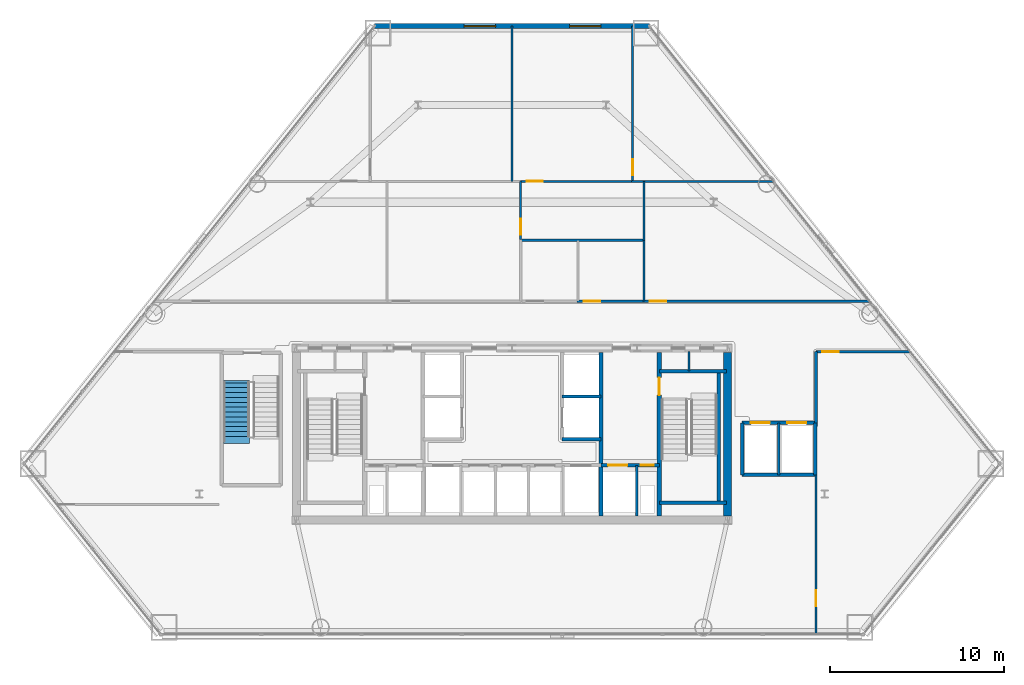
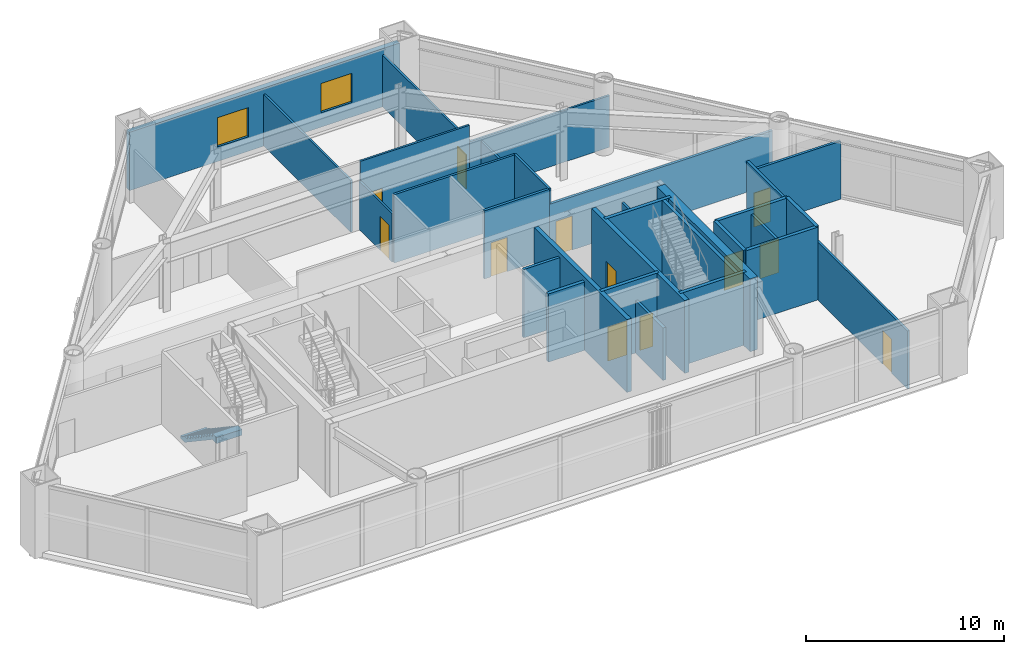
# One storey, part 9 of 13: 30 walls, 12 doors, 2 windows, 1 stair flight, 14 openings, 1 element without a shape of its own.
"""IFC4 building model written with IfcOpenShell, lengths in metres."""

from ifc_helpers import new_model, si_unit, direction, frame, frame_2d, origin, place, context, subcontext, project, spatial, polyline, rectangle, outline, extrude, material, layer, layer_set, type_object, element, fill, aggregate, save


model = new_model("IFC4")

# Units and contexts
model_context = context("Model", 3, precision=1e-05, world=origin(), true_north=direction((0.0, 1.0)))
body_context = subcontext(model_context, "Body", "Model", "MODEL_VIEW")
ifc_project = project(units=[si_unit("LENGTHUNIT", "METRE"), si_unit("AREAUNIT", "SQUARE_METRE"), si_unit("VOLUMEUNIT", "CUBIC_METRE"), si_unit("PLANEANGLEUNIT", "RADIAN"), si_unit("MASSUNIT", "GRAM", prefix="KILO")], contexts=[model_context])

# Site, building, storey
site_placement = place(None, origin())
site = spatial("IfcSite", under=ifc_project, at=site_placement, CompositionType="ELEMENT")
building_placement = place(site_placement, origin())
building = spatial("IfcBuilding", under=site, at=building_placement, Name="Talgorran Terracotta Tower", CompositionType="ELEMENT")
storey_placement = place(building_placement, frame((0.0, 0.0, 9.89990234375)))
storey = spatial("IfcBuildingStorey", under=building, at=storey_placement, Name="L02", CompositionType="ELEMENT", Elevation=9.89990234375)

# Walls
ifc_material_1 = material(Name="Concrete C50/60", Category="concrete")
ifc_layer_1 = layer(ifc_material_1, 0.199951171875, Name="WT_CORE_200")
ifc_layer_set_1 = layer_set([ifc_layer_1], Name="Concrete C50/60")
wall_type_1 = type_object("IfcWallType", Name="WT_CORE_200", PredefinedType="SOLIDWALL", material=ifc_layer_set_1)
for number, where, z_axis, x_axis, name in (
    (1, (8.47998046875, -5.52001953125, 0.0), (0.0, 0.0, 1.0), (1.0, 0.0, 0.0), "WL-L02-CW-ST2-N"),
    (2, (8.47998046875, -13.10009765625, 0.0), (0.0, 0.0, 1.0), (1.0, 0.0, 0.0), "WL-L02-CW-ST2-S"),
):
    element("IfcWall", number, at=place(storey_placement, frame(where, z_axis=z_axis, x_axis=x_axis)), inside=storey, type_object=wall_type_1, Name=name, PredefinedType="SOLIDWALL", context=body_context, shape_type="SweptSolid", body=[
        extrude(rectangle(XDim=3.8701171875, YDim=0.199951171875, at=frame_2d((1.93505859375, 0.0))), origin(), (0.0, 0.0, 1.0), 4.5),
    ])
wall_1_placement = place(storey_placement, frame((11.89990234375, -13.10009765625, 0.0), z_axis=(0.0, 0.0, 1.0), x_axis=(0.0, 1.0, 0.0)))
element("IfcWall", 3, at=wall_1_placement, inside=storey, type_object=wall_type_1, Name="WL-L02-CW-ST2-E", PredefinedType="SOLIDWALL", context=body_context, shape_type="SweptSolid", body=[
    extrude(rectangle(XDim=7.580078125, YDim=0.199951171875, at=frame_2d((3.7900390625, 0.0))), origin(), (0.0, 0.0, 1.0), 4.5),
])

# Wall, openings, doors
wall_2_placement = place(storey_placement, frame((5.1201171875, -10.949951171875, 0.0), z_axis=(0.0, 0.0, 1.0), x_axis=(1.0, 0.0, 0.0)))
wall_2 = element("IfcWall", 4, at=wall_2_placement, inside=storey, type_object=wall_type_1, Name="WL-L02-CW-H-SBE", PredefinedType="SOLIDWALL", context=body_context, shape_type="SweptSolid", body=[
    extrude(rectangle(XDim=3.35986328125, YDim=0.199951171875, at=frame_2d((1.679931640625, 0.0))), origin(), (0.0, 0.0, 1.0), 4.5),
])
opening_1_placement = place(wall_2_placement, frame((0.419921875, 0.0, 0.0)))
opening_1 = element("IfcOpeningElement", 5, at=opening_1_placement, cuts=wall_2, Name="Opening LD-FFL2", PredefinedType="OPENING", context=body_context, shape_type="SweptSolid", body=[
    extrude(rectangle(XDim=1.10609765625, YDim=2.10409765625, at=frame_2d((0.550048828125, 1.052001953125))), frame((0.0, 0.10986328125, 0.0), z_axis=(0.0, -1.0, 0.0), x_axis=(1.0, 0.0, 0.0)), (0.0, 0.0, 1.0), 0.219970703125),
])
opening_2_placement = place(wall_2_placement, frame((2.300048828125, 0.0, 0.0)))
opening_2 = element("IfcOpeningElement", 6, at=opening_2_placement, cuts=wall_2, Name="Opening DR-RSE", PredefinedType="OPENING", context=body_context, shape_type="SweptSolid", body=[
    extrude(rectangle(XDim=0.756, YDim=2.054048828125, at=frame_2d((0.375, 1.027099609375))), frame((0.0, 0.10986328125, 0.0), z_axis=(0.0, -1.0, 0.0), x_axis=(1.0, 0.0, 0.0)), (0.0, 0.0, 1.0), 0.219970703125),
])
ifc_material_2 = material(Name="Brushed Stainless Steel Grade 304", Category="steel")
door_type_1 = type_object("IfcDoorType", Name="DT_LIFT_LD1100", OperationType="DOUBLE_DOOR_SLIDING", PredefinedType="DOOR", material=ifc_material_2)
door_1_placement = place(opening_1_placement, origin())
door_1 = element("IfcDoor", 7, at=door_1_placement, inside=storey, type_object=door_type_1, Name="L02 Lift Landing Door LD-FFL2", OperationType="DOUBLE_DOOR_SLIDING", OverallHeight=2.10009765625, OverallWidth=1.10009765625, PredefinedType="DOOR", context=body_context, shape_type="SweptSolid", body=[
    extrude(rectangle(XDim=1.10009765625, YDim=2.10009765625, at=frame_2d((0.550048828125, 1.050048828125))), frame((0.0, 0.02490234375, 0.0), z_axis=(0.0, -1.0, 0.0), x_axis=(1.0, 0.0, 0.0)), (0.0, 0.0, 1.0), 0.050048828125),
])
fill(opening_1, door_1)
ifc_material_3 = material(Name="Fire-Rated Pressed Steel", Category="steel")
door_type_2 = type_object("IfcDoorType", Name="DT_RISER_750", OperationType="NOTDEFINED", PredefinedType="DOOR", material=ifc_material_3)
door_2_placement = place(opening_2_placement, origin())
door_2 = element("IfcDoor", 8, at=door_2_placement, inside=storey, type_object=door_type_2, Name="DR-RSE", OperationType="SINGLE_SWING_RIGHT", OverallHeight=2.050048828125, OverallWidth=0.75, PredefinedType="DOOR", context=body_context, shape_type="SweptSolid", body=[
    extrude(rectangle(XDim=0.75, YDim=2.050048828125, at=frame_2d((0.375, 1.02490234375))), frame((0.0, 0.02490234375, 0.0), z_axis=(0.0, -1.0, 0.0), x_axis=(1.0, 0.0, 0.0)), (0.0, 0.0, 1.0), 0.050048828125),
])
fill(opening_2, door_2)

# Walls
wall_3_placement = place(storey_placement, frame((2.8798828125, -9.449951171875, 0.0), z_axis=(0.0, 0.0, 1.0), x_axis=(1.0, 0.0, 0.0)))
element("IfcWall", 9, at=wall_3_placement, inside=storey, type_object=wall_type_1, Name="WL-L02-CW-H-E4", PredefinedType="SOLIDWALL", context=body_context, shape_type="SweptSolid", body=[
    extrude(rectangle(XDim=2.240234375, YDim=0.199951171875, at=frame_2d((1.1201171875, 0.0))), origin(), (0.0, 0.0, 1.0), 4.22021484375),
])
wall_4_placement = place(storey_placement, frame((13.25, -11.5, 0.0), z_axis=(0.0, 0.0, 1.0), x_axis=(1.0, 0.0, 0.0)))
element("IfcWall", 10, at=wall_4_placement, inside=storey, type_object=wall_type_1, Name="WL-L02-PW-HL-S", PredefinedType="SOLIDWALL", context=body_context, shape_type="SweptSolid", body=[
    extrude(rectangle(XDim=4.199951171875, YDim=0.199951171875, at=frame_2d((2.10009765625, 0.0))), origin(), (0.0, 0.0, 1.0), 4.5),
])

# Wall, openings, doors
wall_5_placement = place(storey_placement, frame((13.25, -8.5, 0.0), z_axis=(0.0, 0.0, 1.0), x_axis=(1.0, 0.0, 0.0)))
wall_5 = element("IfcWall", 11, at=wall_5_placement, inside=storey, type_object=wall_type_1, Name="WL-L02-PW-HL-N", PredefinedType="SOLIDWALL", context=body_context, shape_type="SweptSolid", body=[
    extrude(rectangle(XDim=4.199951171875, YDim=0.199951171875, at=frame_2d((2.10009765625, 0.0))), origin(), (0.0, 0.0, 1.0), 4.5),
])
opening_3_placement = place(wall_5_placement, frame((0.5, 0.0, 0.0)))
opening_3 = element("IfcOpeningElement", 12, at=opening_3_placement, cuts=wall_5, Name="Opening LD-HL1", PredefinedType="OPENING", context=body_context, shape_type="SweptSolid", body=[
    extrude(rectangle(XDim=1.10609765625, YDim=2.10409765625, at=frame_2d((0.550048828125, 1.052001953125))), frame((0.0, 0.10986328125, 0.0), z_axis=(0.0, -1.0, 0.0), x_axis=(1.0, 0.0, 0.0)), (0.0, 0.0, 1.0), 0.219970703125),
])
opening_4_placement = place(wall_5_placement, frame((2.60009765625, 0.0, 0.0)))
opening_4 = element("IfcOpeningElement", 13, at=opening_4_placement, cuts=wall_5, Name="Opening LD-HL2", PredefinedType="OPENING", context=body_context, shape_type="SweptSolid", body=[
    extrude(rectangle(XDim=1.10609765625, YDim=2.10409765625, at=frame_2d((0.550048828125, 1.052001953125))), frame((0.0, 0.10986328125, 0.0), z_axis=(0.0, -1.0, 0.0), x_axis=(1.0, 0.0, 0.0)), (0.0, 0.0, 1.0), 0.219970703125),
])
door_3_placement = place(opening_3_placement, origin())
door_3 = element("IfcDoor", 14, at=door_3_placement, inside=storey, type_object=door_type_1, Name="L02 Lift Landing Door LD-HL1", OperationType="DOUBLE_DOOR_SLIDING", OverallHeight=2.10009765625, OverallWidth=1.10009765625, PredefinedType="DOOR", context=body_context, shape_type="SweptSolid", body=[
    extrude(rectangle(XDim=1.10009765625, YDim=2.10009765625, at=frame_2d((0.550048828125, 1.050048828125))), frame((0.0, 0.02490234375, 0.0), z_axis=(0.0, -1.0, 0.0), x_axis=(1.0, 0.0, 0.0)), (0.0, 0.0, 1.0), 0.050048828125),
])
fill(opening_3, door_3)
door_4_placement = place(opening_4_placement, origin())
door_4 = element("IfcDoor", 15, at=door_4_placement, inside=storey, type_object=door_type_1, Name="L02 Lift Landing Door LD-HL2", OperationType="DOUBLE_DOOR_SLIDING", OverallHeight=2.10009765625, OverallWidth=1.10009765625, PredefinedType="DOOR", context=body_context, shape_type="SweptSolid", body=[
    extrude(rectangle(XDim=1.10009765625, YDim=2.10009765625, at=frame_2d((0.550048828125, 1.050048828125))), frame((0.0, 0.02490234375, 0.0), z_axis=(0.0, -1.0, 0.0), x_axis=(1.0, 0.0, 0.0)), (0.0, 0.0, 1.0), 0.050048828125),
])
fill(opening_4, door_4)

# Walls
for number, where, z_axis, x_axis, name in (
    (16, (13.25, -11.5, 0.0), (0.0, 0.0, 1.0), (0.0, 1.0, 0.0), "WL-L02-PW-HL-W"),
    (17, (17.449951171875, -11.5, 0.0), (0.0, 0.0, 1.0), (0.0, 1.0, 0.0), "WL-L02-PW-HL-E"),
):
    element("IfcWall", number, at=place(storey_placement, frame(where, z_axis=z_axis, x_axis=x_axis)), inside=storey, type_object=wall_type_1, Name=name, PredefinedType="SOLIDWALL", context=body_context, shape_type="SweptSolid", body=[
        extrude(rectangle(XDim=3.0, YDim=0.199951171875, at=frame_2d((1.5, 0.0))), origin(), (0.0, 0.0, 1.0), 4.5),
    ])

# Wall, opening, door
ifc_layer_2 = layer(ifc_material_1, 0.25, Name="WT_CORE_250")
ifc_layer_set_2 = layer_set([ifc_layer_2], Name="Concrete C50/60")
wall_type_2 = type_object("IfcWallType", Name="WT_CORE_250", PredefinedType="SHEAR", material=ifc_layer_set_2)
wall_6_placement = place(storey_placement, frame((8.47998046875, -13.85009765625, 0.0), z_axis=(0.0, 0.0, 1.0), x_axis=(0.0, 1.0, 0.0)))
wall_6 = element("IfcWall", 18, at=wall_6_placement, inside=storey, type_object=wall_type_2, Name="WL-L02-CW-V-E1", PredefinedType="SHEAR", context=body_context, shape_type="SweptSolid", body=[
    extrude(rectangle(XDim=9.400146484375, YDim=0.25, at=frame_2d((4.7001953125, 0.0))), origin(), (0.0, 0.0, 1.0), 4.5),
])
opening_5_placement = place(wall_6_placement, frame((6.949951171875, 0.0, 0.0)))
opening_5 = element("IfcOpeningElement", 19, at=opening_5_placement, cuts=wall_6, Name="Opening DR-ST02", PredefinedType="OPENING", context=body_context, shape_type="SweptSolid", body=[
    extrude(rectangle(XDim=1.006, YDim=2.10409765625, at=frame_2d((0.5, 1.052001953125))), frame((0.0, 0.135009765625, 0.0), z_axis=(0.0, -1.0, 0.0), x_axis=(1.0, 0.0, 0.0)), (0.0, 0.0, 1.0), 0.27001953125),
])
door_type_3 = type_object("IfcDoorType", Name="DT_FIRE_1000", OperationType="NOTDEFINED", PredefinedType="DOOR", material=ifc_material_3)
door_5_placement = place(opening_5_placement, origin())
door_5 = element("IfcDoor", 20, at=door_5_placement, inside=storey, type_object=door_type_3, Name="DR-ST02", OperationType="SINGLE_SWING_RIGHT", OverallHeight=2.10009765625, OverallWidth=1.0, PredefinedType="DOOR", context=body_context, shape_type="SweptSolid", body=[
    extrude(rectangle(XDim=1.0, YDim=2.10009765625, at=frame_2d((0.5, 1.050048828125))), frame((0.0, 0.02490234375, 0.0), z_axis=(0.0, -1.0, 0.0), x_axis=(1.0, 0.0, 0.0)), (0.0, 0.0, 1.0), 0.050048828125),
])
fill(opening_5, door_5)

# Walls
wall_7_placement = place(storey_placement, frame((5.1201171875, -13.85009765625, 0.0), z_axis=(0.0, 0.0, 1.0), x_axis=(0.0, 1.0, 0.0)))
element("IfcWall", 21, at=wall_7_placement, inside=storey, type_object=wall_type_2, Name="WL-L02-CW-V-E2", PredefinedType="SHEAR", context=body_context, shape_type="SweptSolid", body=[
    extrude(rectangle(XDim=9.400146484375, YDim=0.25, at=frame_2d((4.7001953125, 0.0))), origin(), (0.0, 0.0, 1.0), 4.5),
])
ifc_material_4 = material(Name="Concrete C65/80", Category="concrete")
ifc_layer_3 = layer(ifc_material_4, 0.449951171875, Name="WT_CORE_EXT")
ifc_layer_set_3 = layer_set([ifc_layer_3], Name="Concrete C65/80")
wall_type_3 = type_object("IfcWallType", Name="WT_CORE_EXT", PredefinedType="SHEAR", material=ifc_layer_set_3)
wall_8_placement = place(storey_placement, frame((12.39990234375, -13.85009765625, 0.0), z_axis=(0.0, 0.0, 1.0), x_axis=(0.0, 1.0, 0.0)))
element("IfcWall", 22, at=wall_8_placement, inside=storey, type_object=wall_type_3, Name="WL-L02-CW-OUT-E", PredefinedType="SHEAR", context=body_context, shape_type="SweptSolid", body=[
    extrude(rectangle(XDim=9.400146484375, YDim=0.449951171875, at=frame_2d((4.7001953125, 0.0))), origin(), (0.0, 0.0, 1.0), 4.5),
])

# Wall, opening, door
ifc_material_5 = material(Name="Fire-Rated Steel Stud Plasterboard", Category="steel")
ifc_layer_4 = layer(ifc_material_5, 0.14990234375, Name="WT_FIRE_150")
ifc_layer_set_4 = layer_set([ifc_layer_4], Name="Fire-Rated Steel Stud Plasterboard")
wall_type_4 = type_object("IfcWallType", Name="WT_FIRE_150", PredefinedType="PARTITIONING", material=ifc_layer_set_4)
wall_9_placement = place(storey_placement, frame((7.5400390625, -1.5, 0.0), z_axis=(0.0, 0.0, 1.0), x_axis=(1.0, 0.0, 0.0)))
wall_9 = element("IfcWall", 23, at=wall_9_placement, inside=storey, type_object=wall_type_4, Name="WL-L02-W-L02-R08", PredefinedType="PARTITIONING", context=body_context, shape_type="SweptSolid", body=[
    extrude(rectangle(XDim=13.049072265625, YDim=0.14990234375, at=frame_2d((6.5244140625, 0.0))), origin(), (0.0, 0.0, 1.0), 3.287109375),
])
opening_6_placement = place(wall_9_placement, frame((0.39990234375, 0.0, 0.0)))
opening_6 = element("IfcOpeningElement", 24, at=opening_6_placement, cuts=wall_9, Name="Opening DR-L02-R09", PredefinedType="OPENING", context=body_context, shape_type="SweptSolid", body=[
    extrude(rectangle(XDim=0.955951171875, YDim=2.10409765625, at=frame_2d((0.47509765625, 1.052001953125))), frame((0.0, 0.0849609375, 0.0), z_axis=(0.0, -1.0, 0.0), x_axis=(1.0, 0.0, 0.0)), (0.0, 0.0, 1.0), 0.169921875),
])
ifc_material_6 = material(Name="Fire-Rated Timber Core", Category="wood")
door_type_4 = type_object("IfcDoorType", Name="DT_FIRE_950", OperationType="NOTDEFINED", PredefinedType="DOOR", material=ifc_material_6)
door_6_placement = place(opening_6_placement, origin())
door_6 = element("IfcDoor", 25, at=door_6_placement, inside=storey, type_object=door_type_4, Name="DR-L02-R09", OperationType="SINGLE_SWING_LEFT", OverallHeight=2.10009765625, OverallWidth=0.949951171875, PredefinedType="DOOR", context=body_context, shape_type="SweptSolid", body=[
    extrude(rectangle(XDim=0.949951171875, YDim=2.10009765625, at=frame_2d((0.47509765625, 1.050048828125))), frame((0.0, 0.02490234375, 0.0), z_axis=(0.0, -1.0, 0.0), x_axis=(1.0, 0.0, 0.0)), (0.0, 0.0, 1.0), 0.050048828125),
])
fill(opening_6, door_6)

wall_10_placement = place(storey_placement, frame((17.5, -4.39990234375, 0.0), z_axis=(0.0, 0.0, 1.0), x_axis=(1.0, 0.0, 0.0)))
wall_10 = element("IfcWall", 26, at=wall_10_placement, inside=storey, type_object=wall_type_4, Name="WL-L02-W-L02-R03", PredefinedType="PARTITIONING", context=body_context, shape_type="SweptSolid", body=[
    extrude(rectangle(XDim=5.411865234375, YDim=0.14990234375, at=frame_2d((2.7060546875, 0.0))), origin(), (0.0, 0.0, 1.0), 3.58349609375),
])
opening_7_placement = place(wall_10_placement, frame((0.35791015625, 0.0, 0.0)))
opening_7 = element("IfcOpeningElement", 27, at=opening_7_placement, cuts=wall_10, Name="Opening DR-L02-R02", PredefinedType="OPENING", context=body_context, shape_type="SweptSolid", body=[
    extrude(rectangle(XDim=0.955951171875, YDim=2.10409765625, at=frame_2d((0.47509765625, 1.052001953125))), frame((0.0, 0.0849609375, 0.0), z_axis=(0.0, -1.0, 0.0), x_axis=(1.0, 0.0, 0.0)), (0.0, 0.0, 1.0), 0.169921875),
])
door_7_placement = place(opening_7_placement, origin())
door_7 = element("IfcDoor", 28, at=door_7_placement, inside=storey, type_object=door_type_4, Name="DR-L02-R02", OperationType="SINGLE_SWING_RIGHT", OverallHeight=2.10009765625, OverallWidth=0.949951171875, PredefinedType="DOOR", context=body_context, shape_type="SweptSolid", body=[
    extrude(rectangle(XDim=0.949951171875, YDim=2.10009765625, at=frame_2d((0.47509765625, 1.050048828125))), frame((0.0, 0.02490234375, 0.0), z_axis=(0.0, -1.0, 0.0), x_axis=(1.0, 0.0, 0.0)), (0.0, 0.0, 1.0), 0.050048828125),
])
fill(opening_7, door_7)

# Wall
wall_11_placement = place(storey_placement, frame((17.5, -8.719970703125, 0.0), z_axis=(0.0, 0.0, 1.0), x_axis=(0.0, 1.0, 0.0)))
element("IfcWall", 29, at=wall_11_placement, inside=storey, type_object=wall_type_4, Name="WL-L02-W-L02-R02", PredefinedType="PARTITIONING", context=body_context, shape_type="SweptSolid", body=[
    extrude(rectangle(XDim=4.320068359375, YDim=0.14990234375, at=frame_2d((2.16015625, 0.0))), origin(), (0.0, 0.0, 1.0), 4.22021484375),
])

# Wall, opening, door
wall_12_placement = place(storey_placement, frame((3.739990234375, -1.5, 0.0), z_axis=(0.0, 0.0, 1.0), x_axis=(1.0, 0.0, 0.0)))
wall_12 = element("IfcWall", 30, at=wall_12_placement, inside=storey, type_object=wall_type_4, Name="WL-L02-W-L02-R07", PredefinedType="PARTITIONING", context=body_context, shape_type="SweptSolid", body=[
    extrude(rectangle(XDim=3.798095703125, YDim=0.14990234375, at=frame_2d((1.89892578125, 0.0))), origin(), (0.0, 0.0, 1.0), 4.22021484375),
])
opening_8_placement = place(wall_12_placement, frame((0.39697265625, 0.0, 0.0)))
opening_8 = element("IfcOpeningElement", 31, at=opening_8_placement, cuts=wall_12, Name="Opening DR-L02-R07", PredefinedType="OPENING", context=body_context, shape_type="SweptSolid", body=[
    extrude(rectangle(XDim=0.955951171875, YDim=2.10409765625, at=frame_2d((0.47509765625, 1.052001953125))), frame((0.0, 0.0849609375, 0.0), z_axis=(0.0, -1.0, 0.0), x_axis=(1.0, 0.0, 0.0)), (0.0, 0.0, 1.0), 0.169921875),
])
door_8_placement = place(opening_8_placement, origin())
door_8 = element("IfcDoor", 32, at=door_8_placement, inside=storey, type_object=door_type_4, Name="DR-L02-R07", OperationType="SINGLE_SWING_LEFT", OverallHeight=2.10009765625, OverallWidth=0.949951171875, PredefinedType="DOOR", context=body_context, shape_type="SweptSolid", body=[
    extrude(rectangle(XDim=0.949951171875, YDim=2.10009765625, at=frame_2d((0.47509765625, 1.050048828125))), frame((0.0, 0.02490234375, 0.0), z_axis=(0.0, -1.0, 0.0), x_axis=(1.0, 0.0, 0.0)), (0.0, 0.0, 1.0), 0.050048828125),
])
fill(opening_8, door_8)

# Wall
ifc_material_7 = material(Name="Insulated Steel Stud Plasterboard", Category="steel")
ifc_layer_5 = layer(ifc_material_7, 0.1201171875, Name="WT_PART_120")
ifc_layer_set_5 = layer_set([ifc_layer_5], Name="Insulated Steel Stud Plasterboard")
wall_type_5 = type_object("IfcWallType", Name="WT_PART_120", PredefinedType="PARTITIONING", material=ifc_layer_set_5)
wall_13_placement = place(storey_placement, frame((10.199951171875, -5.52001953125, 0.0), z_axis=(0.0, 0.0, 1.0), x_axis=(0.0, 1.0, 0.0)))
element("IfcWall", 33, at=wall_13_placement, inside=storey, type_object=wall_type_5, Name="WL-L02-CW-CSE-DIV", PredefinedType="PARTITIONING", context=body_context, shape_type="SweptSolid", body=[
    extrude(rectangle(XDim=1.1201171875, YDim=0.1201171875, at=frame_2d((0.56005859375, 0.0))), origin(), (0.0, 0.0, 1.0), 4.22021484375),
])

# Wall, opening, door
wall_14_placement = place(storey_placement, frame((17.5, -20.679931640625, 0.0), z_axis=(0.0, 0.0, 1.0), x_axis=(0.0, 1.0, 0.0)))
wall_14 = element("IfcWall", 34, at=wall_14_placement, inside=storey, type_object=wall_type_5, Name="WL-L02-W-L02-R10", PredefinedType="PARTITIONING", context=body_context, shape_type="SweptSolid", body=[
    extrude(rectangle(XDim=9.33984375, YDim=0.1201171875, at=frame_2d((4.669921875, 0.0))), origin(), (0.0, 0.0, 1.0), 3.58349609375),
])
opening_9_placement = place(wall_14_placement, frame((1.6162109375, 0.0, 0.0)))
opening_9 = element("IfcOpeningElement", 35, at=opening_9_placement, cuts=wall_14, Name="Opening DR-L02-R03", PredefinedType="OPENING", context=body_context, shape_type="SweptSolid", body=[
    extrude(rectangle(XDim=0.925921875, YDim=2.10409765625, at=frame_2d((0.4599609375, 1.052001953125))), frame((0.0, 0.070068359375, 0.0), z_axis=(0.0, -1.0, 0.0), x_axis=(1.0, 0.0, 0.0)), (0.0, 0.0, 1.0), 0.14013671875),
])
ifc_material_8 = material(Name="Solid-Core Painted Timber", Category="wood")
door_type_5 = type_object("IfcDoorType", Name="DT_INT_920", OperationType="NOTDEFINED", PredefinedType="DOOR", material=ifc_material_8)
door_9_placement = place(opening_9_placement, origin())
door_9 = element("IfcDoor", 36, at=door_9_placement, inside=storey, type_object=door_type_5, Name="DR-L02-R03", OperationType="SINGLE_SWING_LEFT", OverallHeight=2.10009765625, OverallWidth=0.919921875, PredefinedType="DOOR", context=body_context, shape_type="SweptSolid", body=[
    extrude(rectangle(XDim=0.919921875, YDim=2.10009765625, at=frame_2d((0.4599609375, 1.050048828125))), frame((0.0, 0.02490234375, 0.0), z_axis=(0.0, -1.0, 0.0), x_axis=(1.0, 0.0, 0.0)), (0.0, 0.0, 1.0), 0.050048828125),
])
fill(opening_9, door_9)

# Wall
wall_15_placement = place(storey_placement, frame((0.0, 5.39990234375, 0.0), z_axis=(0.0, 0.0, 1.0), x_axis=(0.0, 1.0, 0.0)))
element("IfcWall", 37, at=wall_15_placement, inside=storey, type_object=wall_type_5, Name="WL-L02-W-L02-R27", PredefinedType="PARTITIONING", context=body_context, shape_type="SweptSolid", body=[
    extrude(rectangle(XDim=8.93603515625, YDim=0.1201171875, at=frame_2d((4.468017578125, 0.0))), origin(), (0.0, 0.0, 1.0), 3.195068359375),
])

# Wall, opening, door
wall_16_placement = place(storey_placement, frame((6.93994140625, 5.39990234375, 0.0), z_axis=(0.0, 0.0, 1.0), x_axis=(0.0, 1.0, 0.0)))
wall_16 = element("IfcWall", 38, at=wall_16_placement, inside=storey, type_object=wall_type_5, Name="WL-L02-W-L02-R28", PredefinedType="PARTITIONING", context=body_context, shape_type="SweptSolid", body=[
    extrude(rectangle(XDim=8.93603515625, YDim=0.1201171875, at=frame_2d((4.468017578125, 0.0))), origin(), (0.0, 0.0, 1.0), 3.195068359375),
])
opening_10_placement = place(wall_16_placement, frame((0.35986328125, 0.0, 0.0)))
opening_10 = element("IfcOpeningElement", 39, at=opening_10_placement, cuts=wall_16, Name="Opening DR-L02-R13", PredefinedType="OPENING", context=body_context, shape_type="SweptSolid", body=[
    extrude(rectangle(XDim=0.925921875, YDim=2.10409765625, at=frame_2d((0.4599609375, 1.052001953125))), frame((0.0, 0.070068359375, 0.0), z_axis=(0.0, -1.0, 0.0), x_axis=(1.0, 0.0, 0.0)), (0.0, 0.0, 1.0), 0.14013671875),
])
door_10_placement = place(opening_10_placement, origin())
door_10 = element("IfcDoor", 40, at=door_10_placement, inside=storey, type_object=door_type_5, Name="DR-L02-R13", OperationType="SINGLE_SWING_LEFT", OverallHeight=2.10009765625, OverallWidth=0.919921875, PredefinedType="DOOR", context=body_context, shape_type="SweptSolid", body=[
    extrude(rectangle(XDim=0.919921875, YDim=2.10009765625, at=frame_2d((0.4599609375, 1.050048828125))), frame((0.0, 0.02490234375, 0.0), z_axis=(0.0, -1.0, 0.0), x_axis=(1.0, 0.0, 0.0)), (0.0, 0.0, 1.0), 0.050048828125),
])
fill(opening_10, door_10)

# Wall
wall_17_placement = place(storey_placement, frame((6.8798828125, 5.39990234375, 0.0), z_axis=(0.0, 0.0, 1.0), x_axis=(1.0, 0.0, 0.0)))
element("IfcWall", 41, at=wall_17_placement, inside=storey, type_object=wall_type_5, Name="WL-L02-W-L02-R25", PredefinedType="PARTITIONING", context=body_context, shape_type="SweptSolid", body=[
    extrude(rectangle(XDim=8.18310546875, YDim=0.1201171875, at=frame_2d((4.091552734375, 0.0))), origin(), (0.0, 0.0, 1.0), 3.195068359375),
])

# Wall, opening, door
wall_18_placement = place(storey_placement, frame((0.5, 5.39990234375, 0.0), z_axis=(0.0, 0.0, 1.0), x_axis=(1.0, 0.0, 0.0)))
wall_18 = element("IfcWall", 42, at=wall_18_placement, inside=storey, type_object=wall_type_5, Name="WL-L02-W-L02-R23", PredefinedType="PARTITIONING", context=body_context, shape_type="SweptSolid", body=[
    extrude(rectangle(XDim=6.3779296875, YDim=0.1201171875, at=frame_2d((3.18896484375, 0.0))), origin(), (0.0, 0.0, 1.0), 4.22021484375),
])
opening_11_placement = place(wall_18_placement, frame((0.359130859375, 0.0, 0.0)))
opening_11 = element("IfcOpeningElement", 43, at=opening_11_placement, cuts=wall_18, Name="Opening DR-L02-R12", PredefinedType="OPENING", context=body_context, shape_type="SweptSolid", body=[
    extrude(rectangle(XDim=0.925921875, YDim=2.10409765625, at=frame_2d((0.4599609375, 1.052001953125))), frame((0.0, 0.070068359375, 0.0), z_axis=(0.0, -1.0, 0.0), x_axis=(1.0, 0.0, 0.0)), (0.0, 0.0, 1.0), 0.14013671875),
])
door_11_placement = place(opening_11_placement, origin())
door_11 = element("IfcDoor", 44, at=door_11_placement, inside=storey, type_object=door_type_5, Name="DR-L02-R12", OperationType="SINGLE_SWING_RIGHT", OverallHeight=2.10009765625, OverallWidth=0.919921875, PredefinedType="DOOR", context=body_context, shape_type="SweptSolid", body=[
    extrude(rectangle(XDim=0.919921875, YDim=2.10009765625, at=frame_2d((0.4599609375, 1.050048828125))), frame((0.0, 0.02490234375, 0.0), z_axis=(0.0, -1.0, 0.0), x_axis=(1.0, 0.0, 0.0)), (0.0, 0.0, 1.0), 0.050048828125),
])
fill(opening_11, door_11)

wall_19_placement = place(storey_placement, frame((0.5, 2.06201171875, 0.0), z_axis=(0.0, 0.0, 1.0), x_axis=(0.0, 1.0, 0.0)))
wall_19 = element("IfcWall", 45, at=wall_19_placement, inside=storey, type_object=wall_type_5, Name="WL-L02-W-L02-R15", PredefinedType="PARTITIONING", context=body_context, shape_type="SweptSolid", body=[
    extrude(rectangle(XDim=3.337890625, YDim=0.1201171875, at=frame_2d((1.6689453125, 0.0))), origin(), (0.0, 0.0, 1.0), 2.9951171875),
])
opening_12_placement = place(wall_19_placement, frame((0.275634765625, 0.0, 0.0)))
opening_12 = element("IfcOpeningElement", 46, at=opening_12_placement, cuts=wall_19, Name="Opening DR-L02-R08", PredefinedType="OPENING", context=body_context, shape_type="SweptSolid", body=[
    extrude(rectangle(XDim=0.925921875, YDim=2.10409765625, at=frame_2d((0.4599609375, 1.052001953125))), frame((0.0, 0.070068359375, 0.0), z_axis=(0.0, -1.0, 0.0), x_axis=(1.0, 0.0, 0.0)), (0.0, 0.0, 1.0), 0.14013671875),
])
door_12_placement = place(opening_12_placement, origin())
door_12 = element("IfcDoor", 47, at=door_12_placement, inside=storey, type_object=door_type_5, Name="DR-L02-R08", OperationType="SINGLE_SWING_RIGHT", OverallHeight=2.10009765625, OverallWidth=0.919921875, PredefinedType="DOOR", context=body_context, shape_type="SweptSolid", body=[
    extrude(rectangle(XDim=0.919921875, YDim=2.10009765625, at=frame_2d((0.4599609375, 1.050048828125))), frame((0.0, 0.02490234375, 0.0), z_axis=(0.0, -1.0, 0.0), x_axis=(1.0, 0.0, 0.0)), (0.0, 0.0, 1.0), 0.050048828125),
])
fill(opening_12, door_12)

# Walls
wall_20_placement = place(storey_placement, frame((7.60009765625, 2.0, 0.0), z_axis=(0.0, 0.0, 1.0), x_axis=(0.0, 1.0, 0.0)))
element("IfcWall", 48, at=wall_20_placement, inside=storey, type_object=wall_type_5, Name="WL-L02-W-L02-R22", PredefinedType="PARTITIONING", context=body_context, shape_type="SweptSolid", body=[
    extrude(rectangle(XDim=3.39990234375, YDim=0.1201171875, at=frame_2d((1.699951171875, 0.0))), origin(), (0.0, 0.0, 1.0), 2.9951171875),
])
ifc_material_9 = material(Name="Moisture-Resistant Stud Wall")
ifc_layer_6 = layer(ifc_material_9, 0.135009765625, Name="WT_PART_135")
ifc_layer_set_6 = layer_set([ifc_layer_6], Name="Moisture-Resistant Stud Wall")
wall_type_6 = type_object("IfcWallType", Name="WT_PART_135", PredefinedType="PARTITIONING", material=ifc_layer_set_6)
wall_21_placement = place(storey_placement, frame((0.5, 2.0, 0.0), z_axis=(0.0, 0.0, 1.0), x_axis=(1.0, 0.0, 0.0)))
element("IfcWall", 49, at=wall_21_placement, inside=storey, type_object=wall_type_6, Name="WL-L02-W-L02-R20", PredefinedType="PARTITIONING", context=body_context, shape_type="SweptSolid", body=[
    extrude(rectangle(XDim=7.10009765625, YDim=0.135009765625, at=frame_2d((3.550048828125, 0.0))), origin(), (0.0, 0.0, 1.0), 4.22021484375),
])
wall_22_placement = place(storey_placement, frame((7.60009765625, -1.5, 0.0), z_axis=(0.0, 0.0, 1.0), x_axis=(0.0, 1.0, 0.0)))
element("IfcWall", 50, at=wall_22_placement, inside=storey, type_object=wall_type_6, Name="WL-L02-W-L02-R21", PredefinedType="PARTITIONING", context=body_context, shape_type="SweptSolid", body=[
    extrude(rectangle(XDim=3.5, YDim=0.135009765625, at=frame_2d((1.75, 0.0))), origin(), (0.0, 0.0, 1.0), 4.22021484375),
])
ifc_material_10 = material(Name="Fire-Rated Shaftwall")
ifc_layer_7 = layer(ifc_material_10, 0.159912109375, Name="WT_PART_150")
ifc_layer_set_7 = layer_set([ifc_layer_7], Name="Fire-Rated Shaftwall")
wall_type_7 = type_object("IfcWallType", Name="WT_PART_150", PredefinedType="PARTITIONING", material=ifc_layer_set_7)
wall_23_placement = place(storey_placement, frame((2.8798828125, -6.97998046875, 0.0), z_axis=(0.0, 0.0, 1.0), x_axis=(1.0, 0.0, 0.0)))
element("IfcWall", 51, at=wall_23_placement, inside=storey, type_object=wall_type_7, Name="WL-L02-CW-PLM-DIV", PredefinedType="PARTITIONING", context=body_context, shape_type="SweptSolid", body=[
    extrude(rectangle(XDim=2.240234375, YDim=0.159912109375, at=frame_2d((1.1201171875, 0.0))), origin(), (0.0, 0.0, 1.0), 4.22021484375),
])
wall_24_placement = place(storey_placement, frame((7.179931640625, -13.85009765625, 0.0), z_axis=(0.0, 0.0, 1.0), x_axis=(0.0, 1.0, 0.0)))
element("IfcWall", 52, at=wall_24_placement, inside=storey, type_object=wall_type_7, Name="WL-L02-CW-RSE", PredefinedType="PARTITIONING", context=body_context, shape_type="SweptSolid", body=[
    extrude(rectangle(XDim=2.900146484375, YDim=0.159912109375, at=frame_2d((1.4501953125, 0.0))), origin(), (0.0, 0.0, 1.0), 3.2451171875),
])
wall_25_placement = place(storey_placement, frame((15.35009765625, -11.5, 0.0), z_axis=(0.0, 0.0, 1.0), x_axis=(0.0, 1.0, 0.0)))
element("IfcWall", 53, at=wall_25_placement, inside=storey, type_object=wall_type_7, Name="WL-L02-PW-HL-M", PredefinedType="PARTITIONING", context=body_context, shape_type="SweptSolid", body=[
    extrude(rectangle(XDim=3.0, YDim=0.159912109375, at=frame_2d((1.5, 0.0))), origin(), (0.0, 0.0, 1.0), 4.22021484375),
])

# Wall, openings, windows
ifc_material_11 = material(Name="Concrete C40/50", Category="concrete")
ifc_layer_8 = layer(ifc_material_11, 0.300048828125, Name="WT_PORTAL_PRECAST")
ifc_layer_set_8 = layer_set([ifc_layer_8], Name="Concrete C40/50")
wall_type_8 = type_object("IfcWallType", Name="WT_PORTAL_PRECAST", PredefinedType="SOLIDWALL", material=ifc_layer_set_8)
wall_26_placement = place(storey_placement, frame((7.906494140625, 14.3359375, -0.014892578125), z_axis=(0.0, 0.0, 1.0), x_axis=(-1.0, 0.0, 0.0)))
wall_26 = element("IfcWall", 54, at=wall_26_placement, inside=storey, type_object=wall_type_8, Name="WL-L02-PODS", PredefinedType="SOLIDWALL", context=body_context, shape_type="SweptSolid", body=[
    extrude(rectangle(XDim=15.81298828125, YDim=0.300048828125, at=frame_2d((7.906494140625, 0.0))), origin(), (0.0, 0.0, 1.0), 3.598388671875),
])
opening_13_placement = place(wall_26_placement, frame((2.794677734375, 0.0, 0.89990234375)))
opening_13 = element("IfcOpeningElement", 55, at=opening_13_placement, cuts=wall_26, Name="Opening WN-L02-1", PredefinedType="OPENING", context=body_context, shape_type="SweptSolid", body=[
    extrude(rectangle(XDim=1.806048828125, YDim=1.804048828125, at=frame_2d((0.89990234375, 0.902099609375))), frame((0.0, 0.16015625, 0.0), z_axis=(0.0, -1.0, 0.0), x_axis=(1.0, 0.0, 0.0)), (0.0, 0.0, 1.0), 0.320068359375),
])
opening_14_placement = place(wall_26_placement, frame((8.855224609375, 0.0, 0.89990234375)))
opening_14 = element("IfcOpeningElement", 56, at=opening_14_placement, cuts=wall_26, Name="Opening WN-L02-2", PredefinedType="OPENING", context=body_context, shape_type="SweptSolid", body=[
    extrude(rectangle(XDim=1.806048828125, YDim=1.804048828125, at=frame_2d((0.89990234375, 0.902099609375))), frame((0.0, 0.16015625, 0.0), z_axis=(0.0, -1.0, 0.0), x_axis=(1.0, 0.0, 0.0)), (0.0, 0.0, 1.0), 0.320068359375),
])
ifc_material_12 = material(Name="Thermally Broken Aluminium and Low-E Glass", Category="aluminium")
window_type = type_object("IfcWindowType", Name="WNT_CLINIC_1800", PartitioningType="SINGLE_PANEL", PredefinedType="WINDOW", material=ifc_material_12)
window_1_placement = place(opening_13_placement, origin())
window_1 = element("IfcWindow", 57, at=window_1_placement, inside=storey, type_object=window_type, Name="WN-L02-PODS-1", OverallHeight=1.800048828125, OverallWidth=1.800048828125, PartitioningType="SINGLE_PANEL", PredefinedType="WINDOW", context=body_context, shape_type="SweptSolid", body=[
    extrude(rectangle(XDim=1.800048828125, YDim=1.800048828125, at=frame_2d((0.89990234375, 0.89990234375))), frame((0.0, 0.030029296875, 0.0), z_axis=(0.0, -1.0, 0.0), x_axis=(1.0, 0.0, 0.0)), (0.0, 0.0, 1.0), 0.06005859375),
])
fill(opening_13, window_1)
window_2_placement = place(opening_14_placement, origin())
window_2 = element("IfcWindow", 58, at=window_2_placement, inside=storey, type_object=window_type, Name="WN-L02-PODS-2", OverallHeight=1.800048828125, OverallWidth=1.800048828125, PartitioningType="SINGLE_PANEL", PredefinedType="WINDOW", context=body_context, shape_type="SweptSolid", body=[
    extrude(rectangle(XDim=1.800048828125, YDim=1.800048828125, at=frame_2d((0.89990234375, 0.89990234375))), frame((0.0, 0.030029296875, 0.0), z_axis=(0.0, -1.0, 0.0), x_axis=(1.0, 0.0, 0.0)), (0.0, 0.0, 1.0), 0.06005859375),
])
fill(opening_14, window_2)

# Stair, stair flight
stair_type = type_object("IfcStairType", Name="ST_PODIUM_DOGLEG", PredefinedType="HALF_TURN_STAIR", material=ifc_material_11)
stair_placement = place(storey_placement, origin())
stair = element("IfcStair", 59, at=stair_placement, inside=storey, type_object=stair_type, Name="L02 Podium Health Fire Stair ST-03", PredefinedType="HALF_TURN_STAIR")
ifc_layer_9 = layer(ifc_material_11, 0.195068359375, Name="STF_RC_PODIUM")
ifc_layer_set_9 = layer_set([ifc_layer_9], Name="Concrete C40/50")
stair_flight_type = type_object("IfcStairFlightType", Name="STF_RC_PODIUM", PredefinedType="STRAIGHT", material=ifc_layer_set_9)
stair_flight_placement = place(storey_placement, frame((-15.85009765625, -6.199951171875, 0.0), z_axis=(0.0, 0.0, 1.0), x_axis=(0.0, -1.0, 0.0)))
stair_flight = element("IfcStairFlight", 60, at=stair_flight_placement, type_object=stair_flight_type, Name="ST-03 flight 1", NumberOfRisers=12, NumberOfTreads=11, PredefinedType="STRAIGHT", RiserHeight=0.1875, TreadLength=0.28, context=body_context, shape_type="SweptSolid", body=[
    extrude(outline(polyline([(-0.139892578125, 0.0), (-0.139892578125, 0.1875), (0.0, 0.1875), (0.280029296875, 0.375), (0.56005859375, 0.375), (0.56005859375, 0.5625), (0.840087890625, 0.5625), (0.840087890625, 0.75), (1.1201171875, 0.75), (1.1201171875, 0.9375), (1.39990234375, 0.9375), (1.39990234375, 1.125), (1.679931640625, 1.125), (1.679931640625, 1.3125), (1.9599609375, 1.3125), (1.9599609375, 1.5), (2.239990234375, 1.5), (2.239990234375, 1.6875), (2.52001953125, 1.6875), (2.52001953125, 1.875), (2.800048828125, 1.875), (2.800048828125, 2.0625), (3.080078125, 2.0625), (3.080078125, 2.25), (3.5, 2.25), (3.5, 1.882080078125), (3.080078125, 1.882080078125), (0.26953125, 0.0), (-0.139892578125, 0.0)])), frame((0.0, 0.75, 0.0), z_axis=(0.0, -1.0, 0.0), x_axis=(1.0, 0.0, 0.0)), (0.0, 0.0, 1.0), 1.5),
])
aggregate(stair, [stair_flight])

save(model, "model.ifc")
